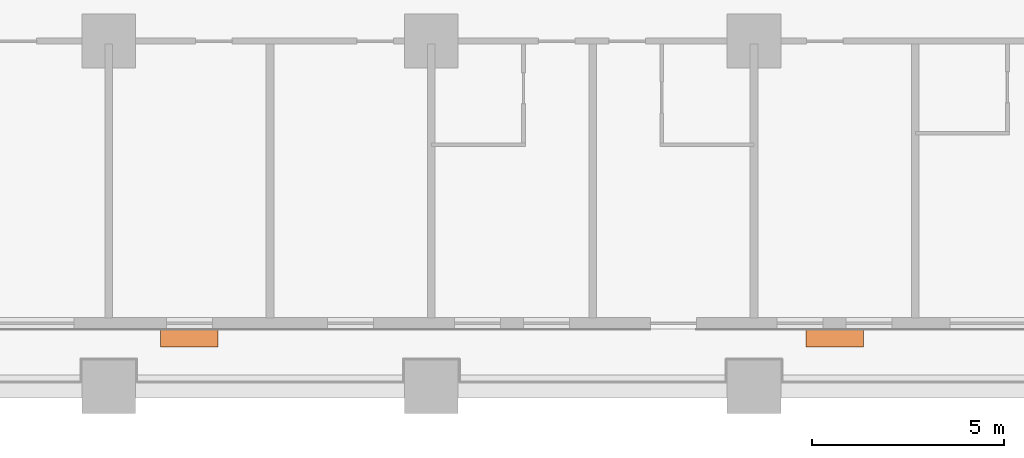
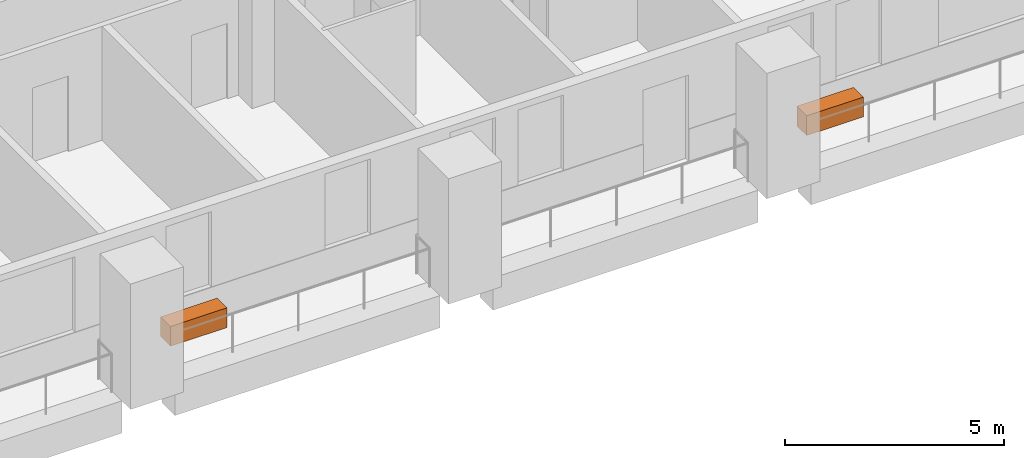
# One storey, part 12 of 12: 2 proxies.
"""IFC4 building model written with IfcOpenShell, lengths in metres."""

import ifcopenshell
import ifcopenshell.guid

model = None  # the IFC model being written
_history = None  # IfcOwnerHistory: only IFC2X3 demands one
_inside = {}  # id of a spatial element -> (the spatial element, [elements in it])
_under = {}  # id of a project, library or spatial element -> (it, [spatial elements below it])
_declared = {}  # id of a project -> (the project, [libraries it declares])
_typed = {}  # id of a type object -> (the type object, [elements of that type])
_made_of = {}  # id of a material, layer set ... -> (it, [elements and type objects made of it])


def new_model(schema):
    """Start an empty IFC model of exactly this schema.

    Asked for "IFC4X3", IfcOpenShell would pick the latest addendum, in which some entities
    have other attributes; the version numbers below select the first issue.
    IFC2X3 requires an IfcOwnerHistory on every rooted entity: one is made here for all.
    """
    global model, _history
    if schema == "IFC4X3":
        model = ifcopenshell.file(schema_version=(4, 3, 0, 0))
    else:
        model = ifcopenshell.file(schema=schema)
    _inside.clear()
    _under.clear()
    _declared.clear()
    _typed.clear()
    _made_of.clear()
    _history = None
    if model.schema == "IFC2X3":
        org = make("IfcOrganization", Name="unknown")
        user = make(
            "IfcPersonAndOrganization",
            ThePerson=make("IfcPerson", FamilyName="unknown"),
            TheOrganization=org,
        )
        app = make(
            "IfcApplication",
            ApplicationDeveloper=org,
            Version="unknown",
            ApplicationFullName="unknown",
            ApplicationIdentifier="unknown",
        )
        _history = make(
            "IfcOwnerHistory",
            OwningUser=user,
            OwningApplication=app,
            ChangeAction="ADDED",
            CreationDate=0,
        )
    return model


def make(cls, **values):
    """One entity of the class cls with the attributes given. An attribute that is None is left unset."""
    return model.create_entity(
        cls, **{name: value for name, value in values.items() if value is not None}
    )


def rooted(cls, **values):
    """An entity with a GlobalId (a new one), such as an element, a storey or a relation."""
    return make(cls, GlobalId=ifcopenshell.guid.new(), OwnerHistory=_history, **values)


def si_unit(unit_type, name, prefix=None):
    """IfcSIUnit, for example si_unit("LENGTHUNIT", "METRE", prefix="MILLI")."""
    return make("IfcSIUnit", UnitType=unit_type, Prefix=prefix, Name=name)


def assignment(units):
    """IfcUnitAssignment: the units of a project."""
    return None if units is None else make("IfcUnitAssignment", Units=units)


def point(xyz):
    """IfcCartesianPoint."""
    return None if xyz is None else make("IfcCartesianPoint", Coordinates=xyz)


def direction(xyz):
    """IfcDirection."""
    return None if xyz is None else make("IfcDirection", DirectionRatios=xyz)


def frame(location, z_axis=None, x_axis=None):
    """IfcAxis2Placement3D, a coordinate frame: its origin and axes. An axis left out is left unset."""
    return make(
        "IfcAxis2Placement3D",
        Location=point(location),
        Axis=direction(z_axis),
        RefDirection=direction(x_axis),
    )


def frame_2d(location, x_axis=None):
    """IfcAxis2Placement2D, a coordinate frame in the plane: its origin and x axis."""
    return make(
        "IfcAxis2Placement2D", Location=point(location), RefDirection=direction(x_axis)
    )


def origin():
    """The frame at (0, 0, 0) with its axes left unset."""
    return frame((0.0, 0.0, 0.0))


def origin_2d():
    """The frame at (0, 0) in the plane with its x axis left unset."""
    return frame_2d((0.0, 0.0))


def place(relative_to, where):
    """IfcLocalPlacement: puts the frame where relative to a parent placement (None: the world)."""
    return make(
        "IfcLocalPlacement", PlacementRelTo=relative_to, RelativePlacement=where
    )


def context(
    kind, dimensions, precision=None, world=None, true_north=None, identifier=None
):
    """IfcGeometricRepresentationContext, for example the 3D "Model" context."""
    return make(
        "IfcGeometricRepresentationContext",
        ContextIdentifier=identifier,
        ContextType=kind,
        CoordinateSpaceDimension=dimensions,
        Precision=precision,
        WorldCoordinateSystem=world,
        TrueNorth=true_north,
    )


def subcontext(parent, identifier, kind, view, scale=None):
    """IfcGeometricRepresentationSubContext, for example "Body" below "Model"."""
    return make(
        "IfcGeometricRepresentationSubContext",
        ContextIdentifier=identifier,
        ContextType=kind,
        ParentContext=parent,
        TargetScale=scale,
        TargetView=view,
    )


def project(units=None, contexts=None):
    """IfcProject with its units and contexts."""
    return rooted(
        "IfcProject",
        Name="project",
        RepresentationContexts=contexts,
        UnitsInContext=assignment(units),
    )


def spatial(cls, under=None, at=None, **own):
    """A site, building, storey or space (cls), placed at a placement, below another one or the project."""
    s = rooted(cls, ObjectPlacement=at, **own)
    if under is not None:
        _under.setdefault(under.id(), (under, []))[1].append(s)
    return s


def profile(cls, at=None, kind="AREA", **sizes):
    """A parametric profile (cls). Its sizes go by their IFC names, for example OverallWidth=200.0."""
    return make(cls, ProfileType=kind, Position=at, **sizes)


def rectangle(**sizes):
    """IfcRectangleProfileDef."""
    return profile("IfcRectangleProfileDef", **sizes)


def extrude(swept, where, along, depth):
    """IfcExtrudedAreaSolid: the profile swept, set in the frame where, extruded along a direction by depth."""
    return make(
        "IfcExtrudedAreaSolid",
        SweptArea=swept,
        Position=where,
        ExtrudedDirection=direction(along),
        Depth=depth,
    )


def shape(context_of_items, identifier, shape_type, items):
    """IfcShapeRepresentation: the items that make up one representation, for example the "Body"."""
    return make(
        "IfcShapeRepresentation",
        ContextOfItems=context_of_items,
        RepresentationIdentifier=identifier,
        RepresentationType=shape_type,
        Items=items,
    )


def made_of(thing, what):
    """Note that an element or type object is made of a material, layer set ...; save() writes the relation."""
    if what is not None:
        _made_of.setdefault(what.id(), (what, []))[1].append(thing)
    return thing


def element(
    cls,
    number,
    at=None,
    inside=None,
    cuts=None,
    type_object=None,
    material=None,
    context=None,
    identifier="Body",
    shape_type=None,
    held_by="IfcProductDefinitionShape",
    body=None,
    shapes=None,
    **own,
):
    """One element of the class cls, such as IfcWall. Its Tag is "e" and its number.

    at: its placement. inside: the storey or other place that contains it. cuts: it is an
    opening in that element (IfcRelVoidsElement). A single representation is given by context,
    identifier, shape_type and body (its items); several are given by shapes. held_by: the class
    of the entity that holds the representations. save() writes the other relations.
    """
    e = rooted(cls, Tag="e%d" % number, ObjectPlacement=at, **own)
    if body is not None:
        shapes = [shape(context, identifier, shape_type, body)]
    if shapes is not None:
        e.Representation = make(held_by, Representations=shapes)
    if inside is not None:
        _inside.setdefault(inside.id(), (inside, []))[1].append(e)
    if cuts is not None:
        rooted(
            "IfcRelVoidsElement", RelatingBuildingElement=cuts, RelatedOpeningElement=e
        )
    if type_object is not None:
        _typed.setdefault(type_object.id(), (type_object, []))[1].append(e)
    return made_of(e, material)


def aggregate(whole, parts):
    """IfcRelAggregates: a whole, such as a stair, and the parts it consists of."""
    return rooted("IfcRelAggregates", RelatingObject=whole, RelatedObjects=parts)


def save(model, path):
    """Write the relations noted so far, then the file.

    IfcRelAggregates (storeys below a building ...), IfcRelContainedInSpatialStructure (elements
    in a storey), IfcRelDefinesByType, IfcRelAssociatesMaterial and IfcRelDeclares: one each for
    every whole, place, type object, material and project.
    """
    for whole, parts in _under.values():
        aggregate(whole, parts)
    for where, things in _inside.values():
        rooted(
            "IfcRelContainedInSpatialStructure",
            RelatedElements=things,
            RelatingStructure=where,
        )
    for kind, things in _typed.values():
        rooted("IfcRelDefinesByType", RelatedObjects=things, RelatingType=kind)
    for what, things in _made_of.values():
        rooted("IfcRelAssociatesMaterial", RelatedObjects=things, RelatingMaterial=what)
    for by, libraries in _declared.values():
        rooted("IfcRelDeclares", RelatingContext=by, RelatedDefinitions=libraries)
    model.write(path)


model = new_model("IFC4")

# Units and contexts
model_context = context("Model", 3, precision=1e-05, world=origin(), true_north=direction((0.0, 1.0)))
body_context = subcontext(model_context, "Body", "Model", "MODEL_VIEW")
ifc_project = project(units=[si_unit("LENGTHUNIT", "METRE"), si_unit("AREAUNIT", "SQUARE_METRE"), si_unit("VOLUMEUNIT", "CUBIC_METRE"), si_unit("PLANEANGLEUNIT", "RADIAN"), si_unit("MASSUNIT", "GRAM", prefix="KILO")], contexts=[model_context])

# Site, building, storey
site_placement = place(None, origin())
site = spatial("IfcSite", under=ifc_project, at=site_placement, CompositionType="ELEMENT")
building_placement = place(site_placement, origin())
building = spatial("IfcBuilding", under=site, at=building_placement, Name="Candeia Pilgrim Tower and Theatre", CompositionType="ELEMENT")
storey_placement = place(building_placement, frame((0.0, 0.0, 46.0)))
storey = spatial("IfcBuildingStorey", under=building, at=storey_placement, Name="L08", CompositionType="ELEMENT", Elevation=46.0)

# Proxies
for number, where, z_axis, x_axis, name in (
    (1, (102.89990234375, 99.2548828125, 0.0), (0.0, 0.0, 1.0), (1.0, 0.0, 0.0), "Planter"),
    (2, (119.699951171875, 99.2548828125, 0.0), (0.0, 0.0, 1.0), (1.0, 0.0, 0.0), "Planter"),
):
    element("IfcBuildingElementProxy", number, at=place(storey_placement, frame(where, z_axis=z_axis, x_axis=x_axis)), inside=storey, Name=name, ObjectType="PLANTER", PredefinedType="USERDEFINED", context=body_context, shape_type="SweptSolid", body=[
        extrude(rectangle(XDim=1.5, YDim=0.449951171875, at=origin_2d()), origin(), (0.0, 0.0, 1.0), 0.550048828125),
    ])

save(model, "model.ifc")
